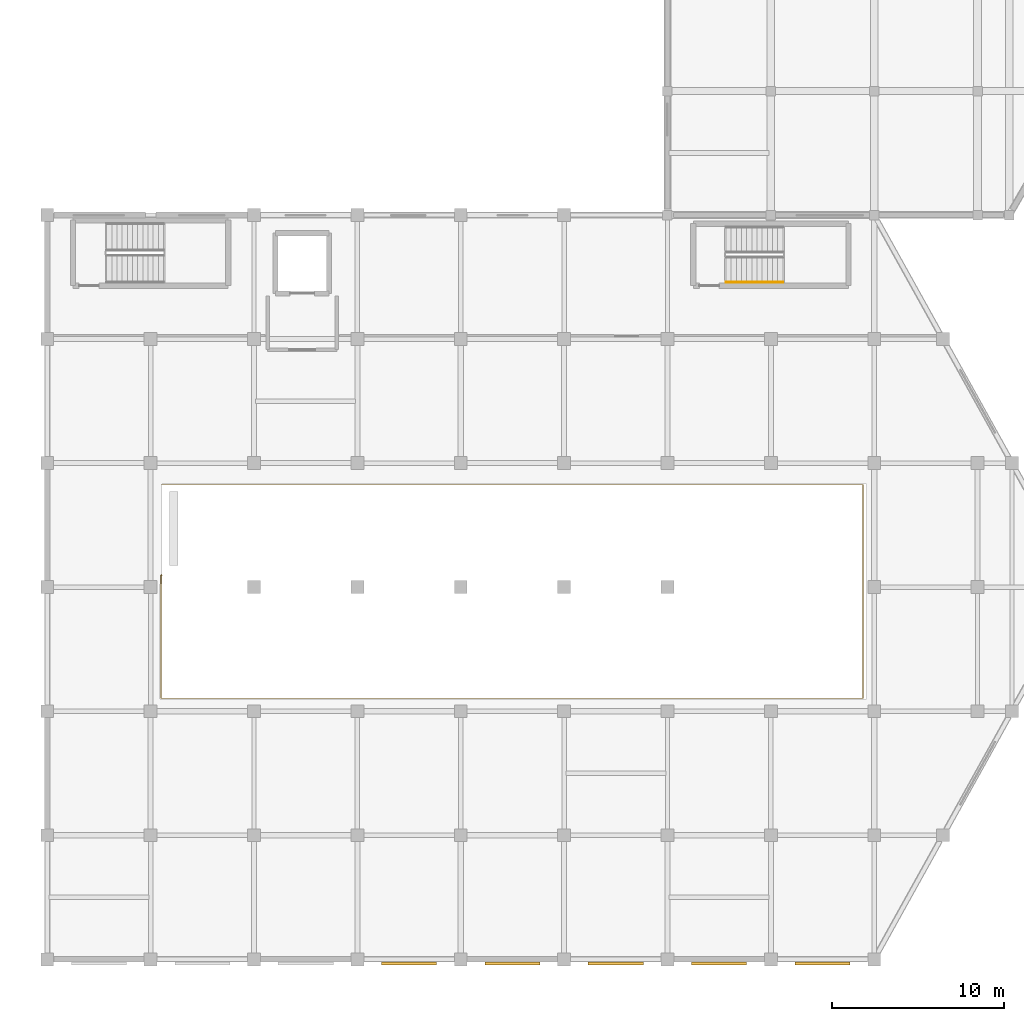
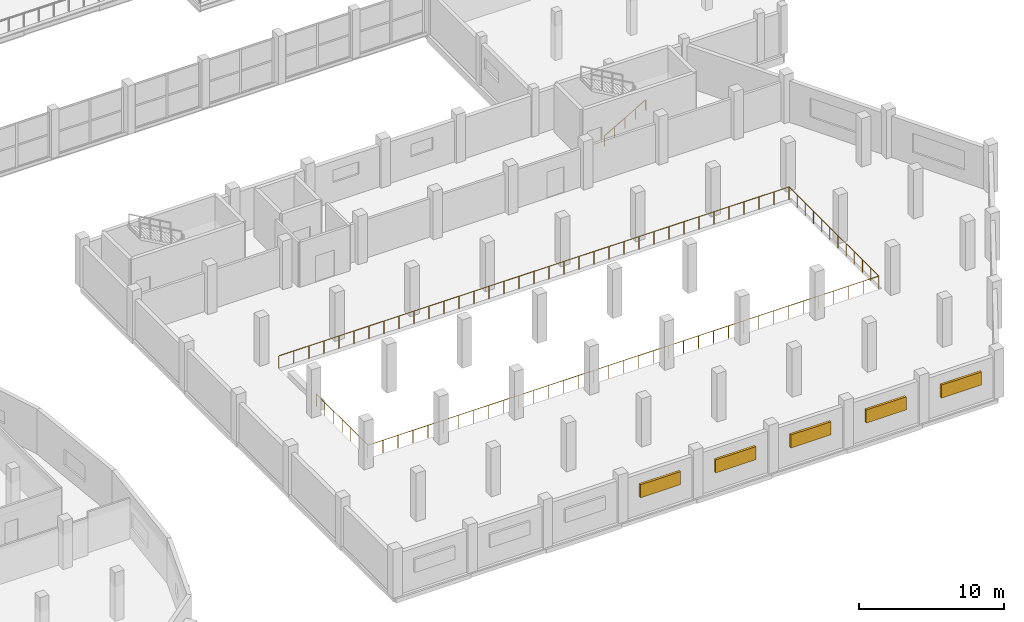
# One storey, part 125 of 127: 5 shading devices, 2 railings.
"""IFC4 building model written with IfcOpenShell, lengths in metres."""

from ifc_helpers import new_model, si_unit, direction, frame, origin, origin_2d, place, context, subcontext, project, spatial, rectangle, circle, extrude, material, layer, layer_set, type_object, element, save


model = new_model("IFC4")

# Units and contexts
model_context = context("Model", 3, precision=1e-05, world=origin(), true_north=direction((0.0, 1.0)))
body_context = subcontext(model_context, "Body", "Model", "MODEL_VIEW")
ifc_project = project(units=[si_unit("LENGTHUNIT", "METRE"), si_unit("AREAUNIT", "SQUARE_METRE"), si_unit("VOLUMEUNIT", "CUBIC_METRE"), si_unit("PLANEANGLEUNIT", "RADIAN"), si_unit("MASSUNIT", "GRAM", prefix="KILO")], contexts=[model_context])

# Site, building, storey
site_placement = place(None, origin())
site = spatial("IfcSite", under=ifc_project, at=site_placement, CompositionType="ELEMENT")
building_placement = place(site_placement, origin())
building = spatial("IfcBuilding", under=site, at=building_placement, Name="Dunvalen Ferry Terminal", CompositionType="ELEMENT")
storey_placement = place(building_placement, frame((0.0, 0.0, 5.760009765625)))
storey = spatial("IfcBuildingStorey", under=building, at=storey_placement, Name="L01", CompositionType="ELEMENT", Elevation=5.760009765625)

# Shading devices
ifc_material_1 = material(Name="Anodised marine aluminium EN AW-6063 T6", Category="aluminium")
ifc_layer = layer(ifc_material_1, 1.10009765625, Name="Anodised marine aluminium EN AW-6063 T6")
ifc_layer_set = layer_set([ifc_layer], Name="Anodised marine aluminium EN AW-6063 T6")
shading_device_type = type_object("IfcShadingDeviceType", Name="ENV-SHD-JAL01", PredefinedType="JALOUSIE", material=ifc_layer_set)
for number, where, z_axis, x_axis, name in (
    (1, (129.0, -0.25, 1.550048828125), (0.0, 0.0, 1.0), (1.0, 0.0, 0.0), "L01 Vehicle Deck Exhaust Louvre 04"),
    (2, (135.0, -0.25, 1.550048828125), (0.0, 0.0, 1.0), (1.0, 0.0, 0.0), "L01 Vehicle Deck Exhaust Louvre 05"),
    (3, (141.0, -0.25, 1.550048828125), (0.0, 0.0, 1.0), (1.0, 0.0, 0.0), "L01 Vehicle Deck Exhaust Louvre 06"),
    (4, (147.0, -0.25, 1.550048828125), (0.0, 0.0, 1.0), (1.0, 0.0, 0.0), "L01 Vehicle Deck Exhaust Louvre 07"),
    (5, (153.0, -0.25, 1.550048828125), (0.0, 0.0, 1.0), (1.0, 0.0, 0.0), "L01 Vehicle Deck Exhaust Louvre 08"),
):
    element("IfcShadingDevice", number, at=place(storey_placement, frame(where, z_axis=z_axis, x_axis=x_axis)), inside=storey, type_object=shading_device_type, Name=name, PredefinedType="JALOUSIE", context=body_context, shape_type="SweptSolid", body=[
        extrude(rectangle(XDim=3.199951171875, YDim=0.179931640625, at=origin_2d()), origin(), (0.0, 0.0, 1.0), 1.10009765625),
    ])

# Railings
ifc_material_2 = material(Name="Painted galvanised steel S275", Category="steel")
railing_type_1 = type_object("IfcRailingType", Name="INT-RL-STGRD", PredefinedType="GUARDRAIL", material=ifc_material_2)
railing_1_placement = place(storey_placement, frame((114.659912109375, 22.300048828125, 0.0)))
element("IfcRailing", 6, at=railing_1_placement, inside=storey, type_object=railing_type_1, Name="L01 Internal Safety Guard GRD-VRMP-HOLE-1", PredefinedType="GUARDRAIL", context=body_context, shape_type="SweptSolid", body=[
    extrude(circle(Radius=0.02392578125, at=origin_2d()), frame((0.0, 0.0, 1.076171875), z_axis=(-1.0, 0.0, 0.0), x_axis=(0.0, -1.0, 0.0)), (0.0, 0.0, 1.0), 0.059814453125),
    extrude(circle(Radius=0.02392578125, at=origin_2d()), frame((-0.059814453125, 0.0, 1.076171875), z_axis=(0.0, -1.0, 0.0), x_axis=(1.0, 0.0, 0.0)), (0.0, 0.0, 1.0), 7.150146484375),
    extrude(circle(Radius=0.02392578125, at=origin_2d()), frame((-0.059814453125, -7.150146484375, 1.076171875), z_axis=(1.0, 0.0, 0.0), x_axis=(0.0, 1.0, 0.0)), (0.0, 0.0, 1.0), 40.75),
    extrude(circle(Radius=0.02392578125, at=origin_2d()), frame((40.690185546875, -7.150146484375, 1.076171875), z_axis=(0.0, 1.0, 0.0), x_axis=(-1.0, 0.0, 0.0)), (0.0, 0.0, 1.0), 12.400146484375),
    extrude(circle(Radius=0.02392578125, at=origin_2d()), frame((40.690185546875, 5.25, 1.076171875), z_axis=(-1.0, 0.0, 0.0), x_axis=(0.0, -1.0, 0.0)), (0.0, 0.0, 1.0), 40.690185546875),
    extrude(circle(Radius=0.02099609375, at=origin_2d()), origin(), (0.0, 0.0, 1.0), 1.052001953125),
    extrude(circle(Radius=0.02099609375, at=origin_2d()), frame((-0.059814453125, 0.0, 0.0)), (0.0, 0.0, 1.0), 1.052001953125),
    extrude(circle(Radius=0.02099609375, at=origin_2d()), frame((-0.059814453125, -1.191650390625, 0.0)), (0.0, 0.0, 1.0), 1.052001953125),
    extrude(circle(Radius=0.02099609375, at=origin_2d()), frame((-0.059814453125, -2.38330078125, 0.0)), (0.0, 0.0, 1.0), 1.052001953125),
    extrude(circle(Radius=0.02099609375, at=origin_2d()), frame((-0.059814453125, -3.5751953125, 0.0)), (0.0, 0.0, 1.0), 1.052001953125),
    extrude(circle(Radius=0.02099609375, at=origin_2d()), frame((-0.059814453125, -4.766845703125, 0.0)), (0.0, 0.0, 1.0), 1.052001953125),
    extrude(circle(Radius=0.02099609375, at=origin_2d()), frame((-0.059814453125, -5.95849609375, 0.0)), (0.0, 0.0, 1.0), 1.052001953125),
    extrude(circle(Radius=0.02099609375, at=origin_2d()), frame((-0.059814453125, -7.150146484375, 0.0)), (0.0, 0.0, 1.0), 1.052001953125),
    extrude(circle(Radius=0.02099609375, at=origin_2d()), frame((1.138671875, -7.150146484375, 0.0)), (0.0, 0.0, 1.0), 1.052001953125),
    extrude(circle(Radius=0.02099609375, at=origin_2d()), frame((2.337158203125, -7.150146484375, 0.0)), (0.0, 0.0, 1.0), 1.052001953125),
    extrude(circle(Radius=0.02099609375, at=origin_2d()), frame((3.535888671875, -7.150146484375, 0.0)), (0.0, 0.0, 1.0), 1.052001953125),
    extrude(circle(Radius=0.02099609375, at=origin_2d()), frame((4.734375, -7.150146484375, 0.0)), (0.0, 0.0, 1.0), 1.052001953125),
    extrude(circle(Radius=0.02099609375, at=origin_2d()), frame((5.932861328125, -7.150146484375, 0.0)), (0.0, 0.0, 1.0), 1.052001953125),
    extrude(circle(Radius=0.02099609375, at=origin_2d()), frame((7.13134765625, -7.150146484375, 0.0)), (0.0, 0.0, 1.0), 1.052001953125),
    extrude(circle(Radius=0.02099609375, at=origin_2d()), frame((8.329833984375, -7.150146484375, 0.0)), (0.0, 0.0, 1.0), 1.052001953125),
    extrude(circle(Radius=0.02099609375, at=origin_2d()), frame((9.5283203125, -7.150146484375, 0.0)), (0.0, 0.0, 1.0), 1.052001953125),
    extrude(circle(Radius=0.02099609375, at=origin_2d()), frame((10.72705078125, -7.150146484375, 0.0)), (0.0, 0.0, 1.0), 1.052001953125),
    extrude(circle(Radius=0.02099609375, at=origin_2d()), frame((11.925537109375, -7.150146484375, 0.0)), (0.0, 0.0, 1.0), 1.052001953125),
    extrude(circle(Radius=0.02099609375, at=origin_2d()), frame((13.1240234375, -7.150146484375, 0.0)), (0.0, 0.0, 1.0), 1.052001953125),
    extrude(circle(Radius=0.02099609375, at=origin_2d()), frame((14.322509765625, -7.150146484375, 0.0)), (0.0, 0.0, 1.0), 1.052001953125),
    extrude(circle(Radius=0.02099609375, at=origin_2d()), frame((15.52099609375, -7.150146484375, 0.0)), (0.0, 0.0, 1.0), 1.052001953125),
    extrude(circle(Radius=0.02099609375, at=origin_2d()), frame((16.719482421875, -7.150146484375, 0.0)), (0.0, 0.0, 1.0), 1.052001953125),
    extrude(circle(Radius=0.02099609375, at=origin_2d()), frame((17.918212890625, -7.150146484375, 0.0)), (0.0, 0.0, 1.0), 1.052001953125),
    extrude(circle(Radius=0.02099609375, at=origin_2d()), frame((19.11669921875, -7.150146484375, 0.0)), (0.0, 0.0, 1.0), 1.052001953125),
    extrude(circle(Radius=0.02099609375, at=origin_2d()), frame((20.315185546875, -7.150146484375, 0.0)), (0.0, 0.0, 1.0), 1.052001953125),
    extrude(circle(Radius=0.02099609375, at=origin_2d()), frame((21.513671875, -7.150146484375, 0.0)), (0.0, 0.0, 1.0), 1.052001953125),
    extrude(circle(Radius=0.02099609375, at=origin_2d()), frame((22.712158203125, -7.150146484375, 0.0)), (0.0, 0.0, 1.0), 1.052001953125),
    extrude(circle(Radius=0.02099609375, at=origin_2d()), frame((23.910888671875, -7.150146484375, 0.0)), (0.0, 0.0, 1.0), 1.052001953125),
    extrude(circle(Radius=0.02099609375, at=origin_2d()), frame((25.109375, -7.150146484375, 0.0)), (0.0, 0.0, 1.0), 1.052001953125),
    extrude(circle(Radius=0.02099609375, at=origin_2d()), frame((26.307861328125, -7.150146484375, 0.0)), (0.0, 0.0, 1.0), 1.052001953125),
    extrude(circle(Radius=0.02099609375, at=origin_2d()), frame((27.50634765625, -7.150146484375, 0.0)), (0.0, 0.0, 1.0), 1.052001953125),
    extrude(circle(Radius=0.02099609375, at=origin_2d()), frame((28.704833984375, -7.150146484375, 0.0)), (0.0, 0.0, 1.0), 1.052001953125),
    extrude(circle(Radius=0.02099609375, at=origin_2d()), frame((29.9033203125, -7.150146484375, 0.0)), (0.0, 0.0, 1.0), 1.052001953125),
    extrude(circle(Radius=0.02099609375, at=origin_2d()), frame((31.10205078125, -7.150146484375, 0.0)), (0.0, 0.0, 1.0), 1.052001953125),
    extrude(circle(Radius=0.02099609375, at=origin_2d()), frame((32.300537109375, -7.150146484375, 0.0)), (0.0, 0.0, 1.0), 1.052001953125),
    extrude(circle(Radius=0.02099609375, at=origin_2d()), frame((33.4990234375, -7.150146484375, 0.0)), (0.0, 0.0, 1.0), 1.052001953125),
    extrude(circle(Radius=0.02099609375, at=origin_2d()), frame((34.697509765625, -7.150146484375, 0.0)), (0.0, 0.0, 1.0), 1.052001953125),
    extrude(circle(Radius=0.02099609375, at=origin_2d()), frame((35.89599609375, -7.150146484375, 0.0)), (0.0, 0.0, 1.0), 1.052001953125),
    extrude(circle(Radius=0.02099609375, at=origin_2d()), frame((37.094482421875, -7.150146484375, 0.0)), (0.0, 0.0, 1.0), 1.052001953125),
    extrude(circle(Radius=0.02099609375, at=origin_2d()), frame((38.293212890625, -7.150146484375, 0.0)), (0.0, 0.0, 1.0), 1.052001953125),
    extrude(circle(Radius=0.02099609375, at=origin_2d()), frame((39.49169921875, -7.150146484375, 0.0)), (0.0, 0.0, 1.0), 1.052001953125),
    extrude(circle(Radius=0.02099609375, at=origin_2d()), frame((40.690185546875, -7.150146484375, 0.0)), (0.0, 0.0, 1.0), 1.052001953125),
    extrude(circle(Radius=0.02099609375, at=origin_2d()), frame((40.690185546875, -6.02294921875, 0.0)), (0.0, 0.0, 1.0), 1.052001953125),
    extrude(circle(Radius=0.02099609375, at=origin_2d()), frame((40.690185546875, -4.8955078125, 0.0)), (0.0, 0.0, 1.0), 1.052001953125),
    extrude(circle(Radius=0.02099609375, at=origin_2d()), frame((40.690185546875, -3.768310546875, 0.0)), (0.0, 0.0, 1.0), 1.052001953125),
    extrude(circle(Radius=0.02099609375, at=origin_2d()), frame((40.690185546875, -2.64111328125, 0.0)), (0.0, 0.0, 1.0), 1.052001953125),
    extrude(circle(Radius=0.02099609375, at=origin_2d()), frame((40.690185546875, -1.513671875, 0.0)), (0.0, 0.0, 1.0), 1.052001953125),
    extrude(circle(Radius=0.02099609375, at=origin_2d()), frame((40.690185546875, -0.386474609375, 0.0)), (0.0, 0.0, 1.0), 1.052001953125),
    extrude(circle(Radius=0.02099609375, at=origin_2d()), frame((40.690185546875, 0.740966796875, 0.0)), (0.0, 0.0, 1.0), 1.052001953125),
    extrude(circle(Radius=0.02099609375, at=origin_2d()), frame((40.690185546875, 1.8681640625, 0.0)), (0.0, 0.0, 1.0), 1.052001953125),
    extrude(circle(Radius=0.02099609375, at=origin_2d()), frame((40.690185546875, 2.995361328125, 0.0)), (0.0, 0.0, 1.0), 1.052001953125),
    extrude(circle(Radius=0.02099609375, at=origin_2d()), frame((40.690185546875, 4.122802734375, 0.0)), (0.0, 0.0, 1.0), 1.052001953125),
    extrude(circle(Radius=0.02099609375, at=origin_2d()), frame((40.690185546875, 5.25, 0.0)), (0.0, 0.0, 1.0), 1.052001953125),
    extrude(circle(Radius=0.02099609375, at=origin_2d()), frame((39.493408203125, 5.25, 0.0)), (0.0, 0.0, 1.0), 1.052001953125),
    extrude(circle(Radius=0.02099609375, at=origin_2d()), frame((38.296630859375, 5.25, 0.0)), (0.0, 0.0, 1.0), 1.052001953125),
    extrude(circle(Radius=0.02099609375, at=origin_2d()), frame((37.099853515625, 5.25, 0.0)), (0.0, 0.0, 1.0), 1.052001953125),
    extrude(circle(Radius=0.02099609375, at=origin_2d()), frame((35.903076171875, 5.25, 0.0)), (0.0, 0.0, 1.0), 1.052001953125),
    extrude(circle(Radius=0.02099609375, at=origin_2d()), frame((34.706298828125, 5.25, 0.0)), (0.0, 0.0, 1.0), 1.052001953125),
    extrude(circle(Radius=0.02099609375, at=origin_2d()), frame((33.509521484375, 5.25, 0.0)), (0.0, 0.0, 1.0), 1.052001953125),
    extrude(circle(Radius=0.02099609375, at=origin_2d()), frame((32.312744140625, 5.25, 0.0)), (0.0, 0.0, 1.0), 1.052001953125),
    extrude(circle(Radius=0.02099609375, at=origin_2d()), frame((31.115966796875, 5.25, 0.0)), (0.0, 0.0, 1.0), 1.052001953125),
    extrude(circle(Radius=0.02099609375, at=origin_2d()), frame((29.919189453125, 5.25, 0.0)), (0.0, 0.0, 1.0), 1.052001953125),
    extrude(circle(Radius=0.02099609375, at=origin_2d()), frame((28.722412109375, 5.25, 0.0)), (0.0, 0.0, 1.0), 1.052001953125),
    extrude(circle(Radius=0.02099609375, at=origin_2d()), frame((27.525634765625, 5.25, 0.0)), (0.0, 0.0, 1.0), 1.052001953125),
    extrude(circle(Radius=0.02099609375, at=origin_2d()), frame((26.328857421875, 5.25, 0.0)), (0.0, 0.0, 1.0), 1.052001953125),
    extrude(circle(Radius=0.02099609375, at=origin_2d()), frame((25.132080078125, 5.25, 0.0)), (0.0, 0.0, 1.0), 1.052001953125),
    extrude(circle(Radius=0.02099609375, at=origin_2d()), frame((23.935302734375, 5.25, 0.0)), (0.0, 0.0, 1.0), 1.052001953125),
    extrude(circle(Radius=0.02099609375, at=origin_2d()), frame((22.738525390625, 5.25, 0.0)), (0.0, 0.0, 1.0), 1.052001953125),
    extrude(circle(Radius=0.02099609375, at=origin_2d()), frame((21.541748046875, 5.25, 0.0)), (0.0, 0.0, 1.0), 1.052001953125),
    extrude(circle(Radius=0.02099609375, at=origin_2d()), frame((20.34521484375, 5.25, 0.0)), (0.0, 0.0, 1.0), 1.052001953125),
    extrude(circle(Radius=0.02099609375, at=origin_2d()), frame((19.1484375, 5.25, 0.0)), (0.0, 0.0, 1.0), 1.052001953125),
    extrude(circle(Radius=0.02099609375, at=origin_2d()), frame((17.95166015625, 5.25, 0.0)), (0.0, 0.0, 1.0), 1.052001953125),
    extrude(circle(Radius=0.02099609375, at=origin_2d()), frame((16.7548828125, 5.25, 0.0)), (0.0, 0.0, 1.0), 1.052001953125),
    extrude(circle(Radius=0.02099609375, at=origin_2d()), frame((15.55810546875, 5.25, 0.0)), (0.0, 0.0, 1.0), 1.052001953125),
    extrude(circle(Radius=0.02099609375, at=origin_2d()), frame((14.361328125, 5.25, 0.0)), (0.0, 0.0, 1.0), 1.052001953125),
    extrude(circle(Radius=0.02099609375, at=origin_2d()), frame((13.16455078125, 5.25, 0.0)), (0.0, 0.0, 1.0), 1.052001953125),
    extrude(circle(Radius=0.02099609375, at=origin_2d()), frame((11.9677734375, 5.25, 0.0)), (0.0, 0.0, 1.0), 1.052001953125),
    extrude(circle(Radius=0.02099609375, at=origin_2d()), frame((10.77099609375, 5.25, 0.0)), (0.0, 0.0, 1.0), 1.052001953125),
    extrude(circle(Radius=0.02099609375, at=origin_2d()), frame((9.57421875, 5.25, 0.0)), (0.0, 0.0, 1.0), 1.052001953125),
    extrude(circle(Radius=0.02099609375, at=origin_2d()), frame((8.37744140625, 5.25, 0.0)), (0.0, 0.0, 1.0), 1.052001953125),
    extrude(circle(Radius=0.02099609375, at=origin_2d()), frame((7.1806640625, 5.25, 0.0)), (0.0, 0.0, 1.0), 1.052001953125),
    extrude(circle(Radius=0.02099609375, at=origin_2d()), frame((5.98388671875, 5.25, 0.0)), (0.0, 0.0, 1.0), 1.052001953125),
    extrude(circle(Radius=0.02099609375, at=origin_2d()), frame((4.787109375, 5.25, 0.0)), (0.0, 0.0, 1.0), 1.052001953125),
    extrude(circle(Radius=0.02099609375, at=origin_2d()), frame((3.59033203125, 5.25, 0.0)), (0.0, 0.0, 1.0), 1.052001953125),
    extrude(circle(Radius=0.02099609375, at=origin_2d()), frame((2.3935546875, 5.25, 0.0)), (0.0, 0.0, 1.0), 1.052001953125),
    extrude(circle(Radius=0.02099609375, at=origin_2d()), frame((1.19677734375, 5.25, 0.0)), (0.0, 0.0, 1.0), 1.052001953125),
    extrude(circle(Radius=0.02099609375, at=origin_2d()), frame((0.0, 5.25, 0.0)), (0.0, 0.0, 1.0), 1.052001953125),
])
ifc_material_3 = material(Name="Brushed 316 stainless steel", Category="steel")
railing_type_2 = type_object("IfcRailingType", Name="INT-RL-STHND", PredefinedType="HANDRAIL", material=ifc_material_3)
railing_2_placement = place(storey_placement, frame((147.39990234375, 39.300048828125, 0.169921875)))
element("IfcRailing", 7, at=railing_2_placement, inside=storey, type_object=railing_type_2, Name="L01 ST6 stair handrail 1", PredefinedType="HANDRAIL", context=body_context, shape_type="SweptSolid", body=[
    extrude(circle(Radius=0.02392578125, at=origin_2d()), frame((0.0, 0.0, 0.8759765625), z_axis=(0.870012062771, 0.0, 0.493030435808), x_axis=(0.0, 1.0, 0.0)), (0.0, 0.0, 1.0), 3.793212890625),
    extrude(circle(Radius=0.02099609375, at=origin_2d()), origin(), (0.0, 0.0, 1.0), 0.851806640625),
    extrude(circle(Radius=0.02099609375, at=origin_2d()), frame((0.824951171875, 0.0, 0.467529296875)), (0.0, 0.0, 1.0), 0.851806640625),
    extrude(circle(Radius=0.02099609375, at=origin_2d()), frame((1.64990234375, 0.0, 0.93505859375)), (0.0, 0.0, 1.0), 0.851806640625),
    extrude(circle(Radius=0.02099609375, at=origin_2d()), frame((2.47509765625, 0.0, 1.402587890625)), (0.0, 0.0, 1.0), 0.851806640625),
    extrude(circle(Radius=0.02099609375, at=origin_2d()), frame((3.300048828125, 0.0, 1.8701171875)), (0.0, 0.0, 1.0), 0.851806640625),
])

save(model, "model.ifc")
